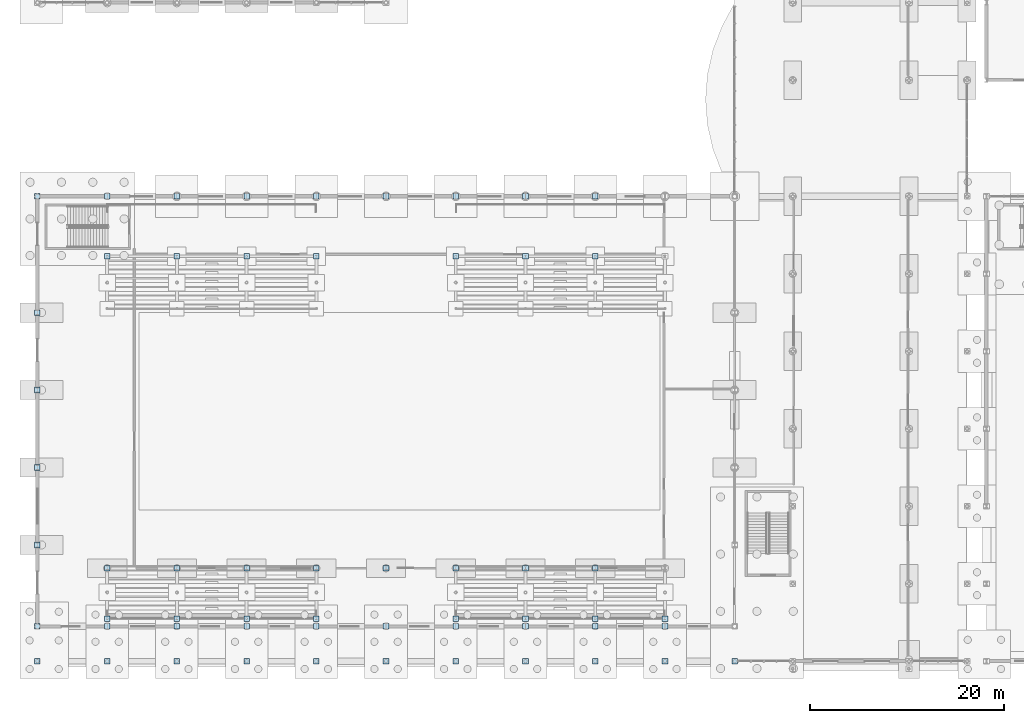
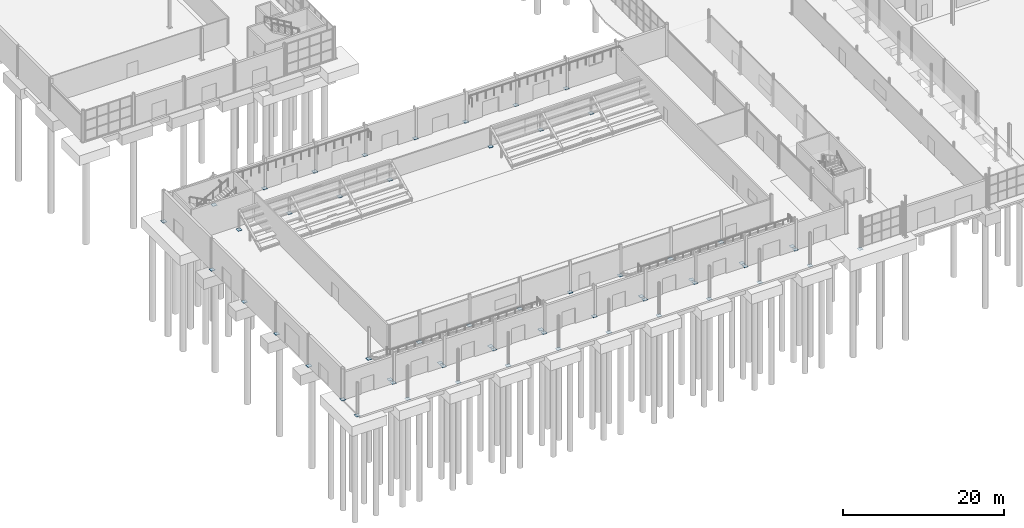
# One storey, part 69 of 101: 57 plates.
"""IFC4 building model written with IfcOpenShell, lengths in metres."""

from ifc_helpers import new_model, si_unit, derived_unit, direction, frame, origin, origin_2d, place, context, subcontext, project, spatial, rectangle, extrude, material, layer, layer_set, type_object, element, save


model = new_model("IFC4")

# Units and contexts
model_context = context("Model", 3, precision=1e-05, world=origin(), true_north=direction((0.0, 1.0)))
body_context = subcontext(model_context, "Body", "Model", "MODEL_VIEW")
ifc_project = project(units=[si_unit("LENGTHUNIT", "METRE"), si_unit("AREAUNIT", "SQUARE_METRE"), si_unit("VOLUMEUNIT", "CUBIC_METRE"), si_unit("PLANEANGLEUNIT", "RADIAN"), si_unit("MASSUNIT", "GRAM", prefix="KILO"), derived_unit("THERMALTRANSMITTANCEUNIT", [(si_unit("POWERUNIT", "WATT"), 1), (si_unit("LENGTHUNIT", "METRE"), -2), (si_unit("THERMODYNAMICTEMPERATUREUNIT", "KELVIN"), -1)])], contexts=[model_context])

# Site, building, storey
site_placement = place(None, origin())
site = spatial("IfcSite", under=ifc_project, at=site_placement, CompositionType="ELEMENT")
building_placement = place(site_placement, origin())
building = spatial("IfcBuilding", under=site, at=building_placement, Name="Keldorne Ridge Multi-Sports Centre", CompositionType="ELEMENT")
storey_placement = place(building_placement, origin())
storey = spatial("IfcBuildingStorey", under=building, at=storey_placement, Name="L00", CompositionType="ELEMENT", Elevation=0.0)

# Plates
ifc_material = material(Name="Steel S355", Category="steel")
ifc_layer_1 = layer(ifc_material, 0.031982421875)
ifc_layer_set_1 = layer_set([ifc_layer_1], Name="Steel S355")
plate_type_1 = type_object("IfcPlateType", Name="PLT-PL-BP1", PredefinedType="USERDEFINED", material=ifc_layer_set_1)
for number, where, z_axis, x_axis, name in (
    (1, (13.199951171875, 15.60009765625, 0.0), (0.0, 0.0, 1.0), (1.0, 0.0, 0.0), "Column baseplate V1-MEZZ-02"),
    (2, (20.39990234375, 15.60009765625, 0.0), (0.0, 0.0, 1.0), (1.0, 0.0, 0.0), "Column baseplate V1-MEZZ-03"),
    (3, (27.60009765625, 15.60009765625, 0.0), (0.0, 0.0, 1.0), (1.0, 0.0, 0.0), "Column baseplate V1-MEZZ-04"),
    (4, (34.800048828125, 15.60009765625, 0.0), (0.0, 0.0, 1.0), (1.0, 0.0, 0.0), "Column baseplate V1-MEZZ-05"),
    (5, (42.0, 15.60009765625, 0.0), (0.0, 0.0, 1.0), (1.0, 0.0, 0.0), "Column baseplate V1-MEZZ-06"),
    (6, (49.199951171875, 15.60009765625, 0.0), (0.0, 0.0, 1.0), (1.0, 0.0, 0.0), "Column baseplate V1-MEZZ-07"),
    (7, (56.39990234375, 15.60009765625, 0.0), (0.0, 0.0, 1.0), (1.0, 0.0, 0.0), "Column baseplate V1-MEZZ-08"),
    (8, (63.60009765625, 15.60009765625, 0.0), (0.0, 0.0, 1.0), (1.0, 0.0, 0.0), "Column baseplate V1-MEZZ-09"),
    (9, (13.199951171875, 10.39990234375, 0.0), (0.0, 0.0, 1.0), (1.0, 0.0, 0.0), "Column baseplate V1-STDCOL-SOUTH-01"),
    (10, (20.39990234375, 10.39990234375, 0.0), (0.0, 0.0, 1.0), (1.0, 0.0, 0.0), "Column baseplate V1-STDCOL-SOUTH-02"),
    (11, (27.60009765625, 10.39990234375, 0.0), (0.0, 0.0, 1.0), (1.0, 0.0, 0.0), "Column baseplate V1-STDCOL-SOUTH-03"),
    (12, (34.800048828125, 10.39990234375, 0.0), (0.0, 0.0, 1.0), (1.0, 0.0, 0.0), "Column baseplate V1-STDCOL-SOUTH-04"),
    (13, (49.199951171875, 10.39990234375, 0.0), (0.0, 0.0, 1.0), (1.0, 0.0, 0.0), "Column baseplate V1-STDCOL-SOUTH-05"),
    (14, (56.39990234375, 10.39990234375, 0.0), (0.0, 0.0, 1.0), (1.0, 0.0, 0.0), "Column baseplate V1-STDCOL-SOUTH-06"),
    (15, (63.60009765625, 10.39990234375, 0.0), (0.0, 0.0, 1.0), (1.0, 0.0, 0.0), "Column baseplate V1-STDCOL-SOUTH-07"),
    (16, (70.800048828125, 10.39990234375, 0.0), (0.0, 0.0, 1.0), (1.0, 0.0, 0.0), "Column baseplate V1-STDCOL-SOUTH-08"),
    (17, (13.199951171875, 47.800048828125, 0.0), (0.0, 0.0, 1.0), (1.0, 0.0, 0.0), "Column baseplate V1-STDCOL-NORTH-01"),
    (18, (20.39990234375, 47.800048828125, 0.0), (0.0, 0.0, 1.0), (1.0, 0.0, 0.0), "Column baseplate V1-STDCOL-NORTH-02"),
    (19, (27.60009765625, 47.800048828125, 0.0), (0.0, 0.0, 1.0), (1.0, 0.0, 0.0), "Column baseplate V1-STDCOL-NORTH-03"),
    (20, (34.800048828125, 47.800048828125, 0.0), (0.0, 0.0, 1.0), (1.0, 0.0, 0.0), "Column baseplate V1-STDCOL-NORTH-04"),
    (21, (49.199951171875, 47.800048828125, 0.0), (0.0, 0.0, 1.0), (1.0, 0.0, 0.0), "Column baseplate V1-STDCOL-NORTH-05"),
    (22, (56.39990234375, 47.800048828125, 0.0), (0.0, 0.0, 1.0), (1.0, 0.0, 0.0), "Column baseplate V1-STDCOL-NORTH-06"),
    (23, (63.60009765625, 47.800048828125, 0.0), (0.0, 0.0, 1.0), (1.0, 0.0, 0.0), "Column baseplate V1-STDCOL-NORTH-07"),
):
    element("IfcPlate", number, at=place(storey_placement, frame(where, z_axis=z_axis, x_axis=x_axis)), inside=storey, type_object=plate_type_1, Name=name, ObjectType="GUSSET PLATE", PredefinedType="USERDEFINED", context=body_context, shape_type="SweptSolid", body=[
        extrude(rectangle(XDim=0.580078125, YDim=0.580078125, at=origin_2d()), origin(), (0.0, 0.0, 1.0), 0.031982421875),
    ])
ifc_layer_2 = layer(ifc_material, 0.0400390625)
ifc_layer_set_2 = layer_set([ifc_layer_2], Name="Steel S355")
plate_type_2 = type_object("IfcPlateType", Name="PLT-PL-BP2", PredefinedType="USERDEFINED", material=ifc_layer_set_2)
for number, where, z_axis, x_axis, name in (
    (24, (6.0, 6.0, -0.25), (0.0, 0.0, 1.0), (1.0, 0.0, 0.0), "Column baseplate V1-COLN-01"),
    (25, (6.0, 9.60009765625, 0.0), (0.0, 0.0, 1.0), (1.0, 0.0, 0.0), "Column baseplate V1-HALL-S-01"),
    (26, (6.0, 54.0, 0.0), (0.0, 0.0, 1.0), (1.0, 0.0, 0.0), "Column baseplate V1-HALL-N-01"),
    (27, (13.199951171875, 6.0, -0.25), (0.0, 0.0, 1.0), (1.0, 0.0, 0.0), "Column baseplate V1-COLN-02"),
    (28, (13.199951171875, 9.60009765625, 0.0), (0.0, 0.0, 1.0), (1.0, 0.0, 0.0), "Column baseplate V1-HALL-S-02"),
    (29, (13.199951171875, 54.0, 0.0), (0.0, 0.0, 1.0), (1.0, 0.0, 0.0), "Column baseplate V1-HALL-N-02"),
    (30, (20.39990234375, 6.0, -0.25), (0.0, 0.0, 1.0), (1.0, 0.0, 0.0), "Column baseplate V1-COLN-03"),
    (31, (20.39990234375, 9.60009765625, 0.0), (0.0, 0.0, 1.0), (1.0, 0.0, 0.0), "Column baseplate V1-HALL-S-03"),
    (32, (20.39990234375, 54.0, 0.0), (0.0, 0.0, 1.0), (1.0, 0.0, 0.0), "Column baseplate V1-HALL-N-03"),
    (33, (27.60009765625, 6.0, -0.25), (0.0, 0.0, 1.0), (1.0, 0.0, 0.0), "Column baseplate V1-COLN-04"),
    (34, (27.60009765625, 9.60009765625, 0.0), (0.0, 0.0, 1.0), (1.0, 0.0, 0.0), "Column baseplate V1-HALL-S-04"),
    (35, (27.60009765625, 54.0, 0.0), (0.0, 0.0, 1.0), (1.0, 0.0, 0.0), "Column baseplate V1-HALL-N-04"),
    (36, (34.800048828125, 6.0, -0.25), (0.0, 0.0, 1.0), (1.0, 0.0, 0.0), "Column baseplate V1-COLN-05"),
    (37, (34.800048828125, 9.60009765625, 0.0), (0.0, 0.0, 1.0), (1.0, 0.0, 0.0), "Column baseplate V1-HALL-S-05"),
    (38, (34.800048828125, 54.0, 0.0), (0.0, 0.0, 1.0), (1.0, 0.0, 0.0), "Column baseplate V1-HALL-N-05"),
    (39, (42.0, 6.0, -0.25), (0.0, 0.0, 1.0), (1.0, 0.0, 0.0), "Column baseplate V1-COLN-06"),
    (40, (42.0, 9.60009765625, 0.0), (0.0, 0.0, 1.0), (1.0, 0.0, 0.0), "Column baseplate V1-HALL-S-06"),
    (41, (42.0, 54.0, 0.0), (0.0, 0.0, 1.0), (1.0, 0.0, 0.0), "Column baseplate V1-HALL-N-06"),
    (42, (49.199951171875, 6.0, -0.25), (0.0, 0.0, 1.0), (1.0, 0.0, 0.0), "Column baseplate V1-COLN-07"),
    (43, (49.199951171875, 9.60009765625, 0.0), (0.0, 0.0, 1.0), (1.0, 0.0, 0.0), "Column baseplate V1-HALL-S-07"),
    (44, (49.199951171875, 54.0, 0.0), (0.0, 0.0, 1.0), (1.0, 0.0, 0.0), "Column baseplate V1-HALL-N-07"),
    (45, (56.39990234375, 6.0, -0.25), (0.0, 0.0, 1.0), (1.0, 0.0, 0.0), "Column baseplate V1-COLN-08"),
    (46, (56.39990234375, 9.60009765625, 0.0), (0.0, 0.0, 1.0), (1.0, 0.0, 0.0), "Column baseplate V1-HALL-S-08"),
    (47, (56.39990234375, 54.0, 0.0), (0.0, 0.0, 1.0), (1.0, 0.0, 0.0), "Column baseplate V1-HALL-N-08"),
    (48, (63.60009765625, 6.0, -0.25), (0.0, 0.0, 1.0), (1.0, 0.0, 0.0), "Column baseplate V1-COLN-09"),
    (49, (63.60009765625, 9.60009765625, 0.0), (0.0, 0.0, 1.0), (1.0, 0.0, 0.0), "Column baseplate V1-HALL-S-09"),
    (50, (63.60009765625, 54.0, 0.0), (0.0, 0.0, 1.0), (1.0, 0.0, 0.0), "Column baseplate V1-HALL-N-09"),
    (51, (70.800048828125, 6.0, -0.25), (0.0, 0.0, 1.0), (1.0, 0.0, 0.0), "Column baseplate V1-COLN-10"),
    (52, (70.800048828125, 9.60009765625, 0.0), (0.0, 0.0, 1.0), (1.0, 0.0, 0.0), "Column baseplate V1-HALL-S-10"),
    (53, (78.0, 6.0, -0.25), (0.0, 0.0, 1.0), (1.0, 0.0, 0.0), "Column baseplate V1-COLN-11"),
    (54, (6.0, 18.0, 0.0), (0.0, 0.0, 1.0), (1.0, 0.0, 0.0), "Column baseplate V1-GABLE-W-01"),
    (55, (6.0, 26.0, 0.0), (0.0, 0.0, 1.0), (1.0, 0.0, 0.0), "Column baseplate V1-GABLE-W-02"),
    (56, (6.0, 34.0, 0.0), (0.0, 0.0, 1.0), (1.0, 0.0, 0.0), "Column baseplate V1-GABLE-W-03"),
    (57, (6.0, 42.0, 0.0), (0.0, 0.0, 1.0), (1.0, 0.0, 0.0), "Column baseplate V1-GABLE-W-04"),
):
    element("IfcPlate", number, at=place(storey_placement, frame(where, z_axis=z_axis, x_axis=x_axis)), inside=storey, type_object=plate_type_2, Name=name, ObjectType="GUSSET PLATE", PredefinedType="USERDEFINED", context=body_context, shape_type="SweptSolid", body=[
        extrude(rectangle(XDim=0.580078125, YDim=0.580078125, at=origin_2d()), origin(), (0.0, 0.0, 1.0), 0.0400390625),
    ])

save(model, "model.ifc")
